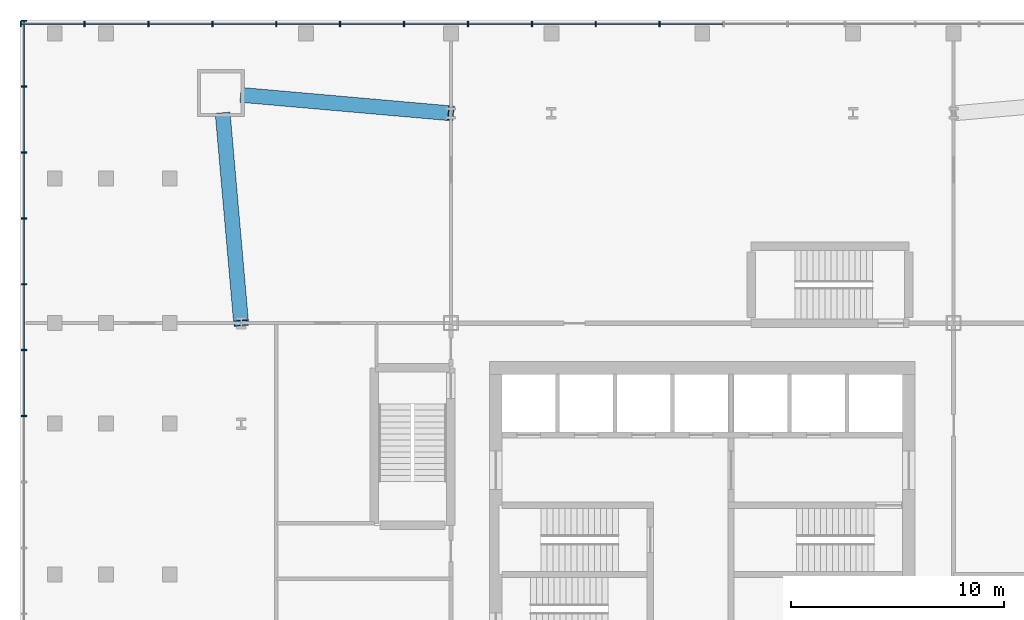
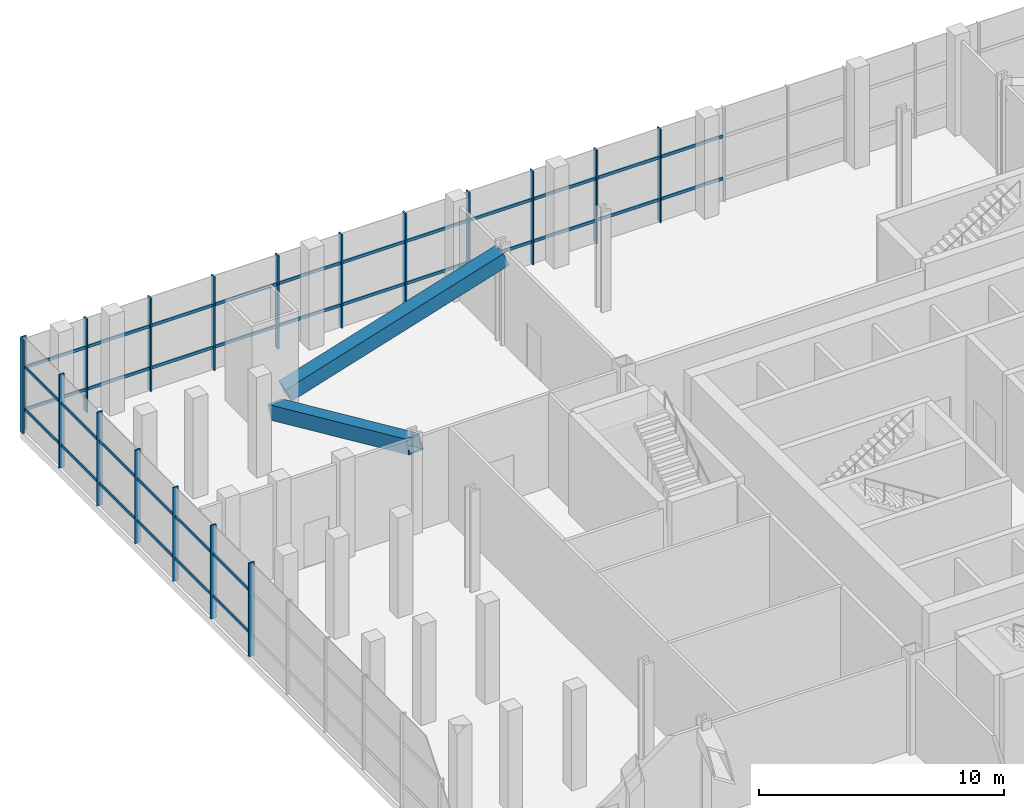
# One storey, part 4 of 12: 54 members, 2 elements without a shape of their own.
"""IFC4 building model written with IfcOpenShell, lengths in metres."""

from ifc_helpers import new_model, si_unit, direction, frame, origin, origin_2d, place, context, subcontext, project, spatial, rectangle, hollow_rectangle, extrude, material, material_profile, profile_set, type_object, element, aggregate, save


model = new_model("IFC4")

# Units and contexts
model_context = context("Model", 3, precision=1e-05, world=origin(), true_north=direction((0.0, 1.0)))
body_context = subcontext(model_context, "Body", "Model", "MODEL_VIEW")
ifc_project = project(units=[si_unit("LENGTHUNIT", "METRE"), si_unit("AREAUNIT", "SQUARE_METRE"), si_unit("VOLUMEUNIT", "CUBIC_METRE"), si_unit("PLANEANGLEUNIT", "RADIAN"), si_unit("MASSUNIT", "GRAM", prefix="KILO")], contexts=[model_context])

# Site, building, storey
site_placement = place(None, origin())
site = spatial("IfcSite", under=ifc_project, at=site_placement, CompositionType="ELEMENT")
building_placement = place(site_placement, origin())
building = spatial("IfcBuilding", under=site, at=building_placement, Name="Turquesa Mirador Hotel Tower", CompositionType="ELEMENT")
storey_placement = place(building_placement, frame((0.0, 0.0, 11.0)))
storey = spatial("IfcBuildingStorey", under=building, at=storey_placement, Name="L02", CompositionType="ELEMENT", Elevation=11.0)

# Curtain wall, members
ifc_material_1 = material(Name="Aluminium extrusion", Category="aluminium")
curtain_wall_type = type_object("IfcCurtainWallType", Name="CW-2 PODIUM CURTAIN WALL", PredefinedType="USERDEFINED", material=ifc_material_1)
curtain_wall_1_placement = place(storey_placement, origin())
curtain_wall_1 = element("IfcCurtainWall", 1, at=curtain_wall_1_placement, inside=storey, type_object=curtain_wall_type, Name="CW-2 PODIUM CURTAIN WALL L02", ObjectType="CURTAIN WALL", PredefinedType="USERDEFINED")
ifc_material_2 = material(Name="Aluminium extrusion", Category="aluminium")
ifc_material_profile_1 = material_profile(ifc_material_2, rectangle(XDim=0.06494140625, YDim=0.25, at=origin_2d()), Name="MULLION 65X250")
ifc_profile_set_1 = profile_set([ifc_material_profile_1], Name="Aluminium extrusion")
member_type_1 = type_object("IfcMemberType", Name="CW MULLION 65X250", PredefinedType="MULLION", material=ifc_profile_set_1)
member_1_placement = place(storey_placement, frame((53.0, 70.85009765625, 0.0), z_axis=(0.0, 0.0, 1.0), x_axis=(-1.0, 0.0, 0.0)))
member_1 = element("IfcMember", 2, at=member_1_placement, type_object=member_type_1, Name="Mullion", PredefinedType="MULLION", context=body_context, shape_type="SweptSolid", body=[
    extrude(rectangle(XDim=0.06494140625, YDim=0.25, at=origin_2d()), origin(), (0.0, 0.0, 1.0), 4.64990234375),
])
member_2_placement = place(storey_placement, frame((50.0, 70.85009765625, 0.0), z_axis=(0.0, 0.0, 1.0), x_axis=(-1.0, 0.0, 0.0)))
member_2 = element("IfcMember", 3, at=member_2_placement, type_object=member_type_1, Name="Mullion", PredefinedType="MULLION", context=body_context, shape_type="SweptSolid", body=[
    extrude(rectangle(XDim=0.06494140625, YDim=0.25, at=origin_2d()), origin(), (0.0, 0.0, 1.0), 4.64990234375),
])
member_3_placement = place(storey_placement, frame((47.0, 70.85009765625, 0.0), z_axis=(0.0, 0.0, 1.0), x_axis=(-1.0, 0.0, 0.0)))
member_3 = element("IfcMember", 4, at=member_3_placement, type_object=member_type_1, Name="Mullion", PredefinedType="MULLION", context=body_context, shape_type="SweptSolid", body=[
    extrude(rectangle(XDim=0.06494140625, YDim=0.25, at=origin_2d()), origin(), (0.0, 0.0, 1.0), 4.64990234375),
])
member_4_placement = place(storey_placement, frame((44.0, 70.85009765625, 0.0), z_axis=(0.0, 0.0, 1.0), x_axis=(-1.0, 0.0, 0.0)))
member_4 = element("IfcMember", 5, at=member_4_placement, type_object=member_type_1, Name="Mullion", PredefinedType="MULLION", context=body_context, shape_type="SweptSolid", body=[
    extrude(rectangle(XDim=0.06494140625, YDim=0.25, at=origin_2d()), origin(), (0.0, 0.0, 1.0), 4.64990234375),
])
member_5_placement = place(storey_placement, frame((41.0, 70.85009765625, 0.0), z_axis=(0.0, 0.0, 1.0), x_axis=(-1.0, 0.0, 0.0)))
member_5 = element("IfcMember", 6, at=member_5_placement, type_object=member_type_1, Name="Mullion", PredefinedType="MULLION", context=body_context, shape_type="SweptSolid", body=[
    extrude(rectangle(XDim=0.06494140625, YDim=0.25, at=origin_2d()), origin(), (0.0, 0.0, 1.0), 4.64990234375),
])
member_6_placement = place(storey_placement, frame((38.0, 70.85009765625, 0.0), z_axis=(0.0, 0.0, 1.0), x_axis=(-1.0, 0.0, 0.0)))
member_6 = element("IfcMember", 7, at=member_6_placement, type_object=member_type_1, Name="Mullion", PredefinedType="MULLION", context=body_context, shape_type="SweptSolid", body=[
    extrude(rectangle(XDim=0.06494140625, YDim=0.25, at=origin_2d()), origin(), (0.0, 0.0, 1.0), 4.64990234375),
])
member_7_placement = place(storey_placement, frame((35.0, 70.85009765625, 0.0), z_axis=(0.0, 0.0, 1.0), x_axis=(-1.0, 0.0, 0.0)))
member_7 = element("IfcMember", 8, at=member_7_placement, type_object=member_type_1, Name="Mullion", PredefinedType="MULLION", context=body_context, shape_type="SweptSolid", body=[
    extrude(rectangle(XDim=0.06494140625, YDim=0.25, at=origin_2d()), origin(), (0.0, 0.0, 1.0), 4.64990234375),
])
member_8_placement = place(storey_placement, frame((32.0, 70.85009765625, 0.0), z_axis=(0.0, 0.0, 1.0), x_axis=(-1.0, 0.0, 0.0)))
member_8 = element("IfcMember", 9, at=member_8_placement, type_object=member_type_1, Name="Mullion", PredefinedType="MULLION", context=body_context, shape_type="SweptSolid", body=[
    extrude(rectangle(XDim=0.06494140625, YDim=0.25, at=origin_2d()), origin(), (0.0, 0.0, 1.0), 4.64990234375),
])
member_9_placement = place(storey_placement, frame((29.0, 70.85009765625, 0.0), z_axis=(0.0, 0.0, 1.0), x_axis=(-1.0, 0.0, 0.0)))
member_9 = element("IfcMember", 10, at=member_9_placement, type_object=member_type_1, Name="Mullion", PredefinedType="MULLION", context=body_context, shape_type="SweptSolid", body=[
    extrude(rectangle(XDim=0.06494140625, YDim=0.25, at=origin_2d()), origin(), (0.0, 0.0, 1.0), 4.64990234375),
])
member_10_placement = place(storey_placement, frame((26.0, 70.85009765625, 0.0), z_axis=(0.0, 0.0, 1.0), x_axis=(-1.0, 0.0, 0.0)))
member_10 = element("IfcMember", 11, at=member_10_placement, type_object=member_type_1, Name="Mullion", PredefinedType="MULLION", context=body_context, shape_type="SweptSolid", body=[
    extrude(rectangle(XDim=0.06494140625, YDim=0.25, at=origin_2d()), origin(), (0.0, 0.0, 1.0), 4.64990234375),
])
member_11_placement = place(storey_placement, frame((23.0, 70.85009765625, 0.0), z_axis=(0.0, 0.0, 1.0), x_axis=(-1.0, 0.0, 0.0)))
member_11 = element("IfcMember", 12, at=member_11_placement, type_object=member_type_1, Name="Mullion", PredefinedType="MULLION", context=body_context, shape_type="SweptSolid", body=[
    extrude(rectangle(XDim=0.06494140625, YDim=0.25, at=origin_2d()), origin(), (0.0, 0.0, 1.0), 4.64990234375),
])

curtain_wall_2_placement = place(storey_placement, origin())
curtain_wall_2 = element("IfcCurtainWall", 13, at=curtain_wall_2_placement, inside=storey, type_object=curtain_wall_type, Name="CW-2 PODIUM CURTAIN WALL L02", ObjectType="CURTAIN WALL", PredefinedType="USERDEFINED")
member_12_placement = place(storey_placement, frame((23.14990234375, 71.0, 0.0), z_axis=(0.0, 0.0, 1.0), x_axis=(0.0, -1.0, 0.0)))
member_12 = element("IfcMember", 14, at=member_12_placement, type_object=member_type_1, Name="Mullion", PredefinedType="MULLION", context=body_context, shape_type="SweptSolid", body=[
    extrude(rectangle(XDim=0.06494140625, YDim=0.25, at=origin_2d()), origin(), (0.0, 0.0, 1.0), 4.64990234375),
])
member_13_placement = place(storey_placement, frame((23.14990234375, 67.90625, 0.0), z_axis=(0.0, 0.0, 1.0), x_axis=(0.0, -1.0, 0.0)))
member_13 = element("IfcMember", 15, at=member_13_placement, type_object=member_type_1, Name="Mullion", PredefinedType="MULLION", context=body_context, shape_type="SweptSolid", body=[
    extrude(rectangle(XDim=0.06494140625, YDim=0.25, at=origin_2d()), origin(), (0.0, 0.0, 1.0), 4.64990234375),
])
member_14_placement = place(storey_placement, frame((23.14990234375, 64.8125, 0.0), z_axis=(0.0, 0.0, 1.0), x_axis=(0.0, -1.0, 0.0)))
member_14 = element("IfcMember", 16, at=member_14_placement, type_object=member_type_1, Name="Mullion", PredefinedType="MULLION", context=body_context, shape_type="SweptSolid", body=[
    extrude(rectangle(XDim=0.06494140625, YDim=0.25, at=origin_2d()), origin(), (0.0, 0.0, 1.0), 4.64990234375),
])
member_15_placement = place(storey_placement, frame((23.14990234375, 61.71875, 0.0), z_axis=(0.0, 0.0, 1.0), x_axis=(0.0, -1.0, 0.0)))
member_15 = element("IfcMember", 17, at=member_15_placement, type_object=member_type_1, Name="Mullion", PredefinedType="MULLION", context=body_context, shape_type="SweptSolid", body=[
    extrude(rectangle(XDim=0.06494140625, YDim=0.25, at=origin_2d()), origin(), (0.0, 0.0, 1.0), 4.64990234375),
])
member_16_placement = place(storey_placement, frame((23.14990234375, 58.625, 0.0), z_axis=(0.0, 0.0, 1.0), x_axis=(0.0, -1.0, 0.0)))
member_16 = element("IfcMember", 18, at=member_16_placement, type_object=member_type_1, Name="Mullion", PredefinedType="MULLION", context=body_context, shape_type="SweptSolid", body=[
    extrude(rectangle(XDim=0.06494140625, YDim=0.25, at=origin_2d()), origin(), (0.0, 0.0, 1.0), 4.64990234375),
])
member_17_placement = place(storey_placement, frame((23.14990234375, 55.53125, 0.0), z_axis=(0.0, 0.0, 1.0), x_axis=(0.0, -1.0, 0.0)))
member_17 = element("IfcMember", 19, at=member_17_placement, type_object=member_type_1, Name="Mullion", PredefinedType="MULLION", context=body_context, shape_type="SweptSolid", body=[
    extrude(rectangle(XDim=0.06494140625, YDim=0.25, at=origin_2d()), origin(), (0.0, 0.0, 1.0), 4.64990234375),
])
member_18_placement = place(storey_placement, frame((23.14990234375, 52.4375, 0.0), z_axis=(0.0, 0.0, 1.0), x_axis=(0.0, -1.0, 0.0)))
member_18 = element("IfcMember", 20, at=member_18_placement, type_object=member_type_1, Name="Mullion", PredefinedType="MULLION", context=body_context, shape_type="SweptSolid", body=[
    extrude(rectangle(XDim=0.06494140625, YDim=0.25, at=origin_2d()), origin(), (0.0, 0.0, 1.0), 4.64990234375),
])

# Member
ifc_material_3 = material(Name="Aluminium extrusion", Category="aluminium")
ifc_material_profile_2 = material_profile(ifc_material_3, rectangle(XDim=0.06494140625, YDim=0.14990234375, at=origin_2d()), Name="TRANSOM 65X150")
ifc_profile_set_2 = profile_set([ifc_material_profile_2], Name="Aluminium extrusion")
member_type_2 = type_object("IfcMemberType", Name="CW TRANSOM 65X150", PredefinedType="USERDEFINED", material=ifc_profile_set_2)
member_19_placement = place(storey_placement, frame((55.967529296875, 70.85009765625, 1.10009765625), z_axis=(-1.0, 0.0, 0.0), x_axis=(0.0, -1.0, 0.0)))
member_19 = element("IfcMember", 21, at=member_19_placement, type_object=member_type_2, Name="Transom", ObjectType="TRANSOM", PredefinedType="USERDEFINED", context=body_context, shape_type="SweptSolid", body=[
    extrude(rectangle(XDim=0.06494140625, YDim=0.14990234375, at=origin_2d()), origin(), (0.0, 0.0, 1.0), 2.93505859375),
])

member_20_placement = place(storey_placement, frame((55.967529296875, 70.85009765625, 3.199951171875), z_axis=(-1.0, 0.0, 0.0), x_axis=(0.0, -1.0, 0.0)))
member_20 = element("IfcMember", 22, at=member_20_placement, type_object=member_type_2, Name="Transom", ObjectType="TRANSOM", PredefinedType="USERDEFINED", context=body_context, shape_type="SweptSolid", body=[
    extrude(rectangle(XDim=0.06494140625, YDim=0.14990234375, at=origin_2d()), origin(), (0.0, 0.0, 1.0), 2.93505859375),
])

member_21_placement = place(storey_placement, frame((52.967529296875, 70.85009765625, 1.10009765625), z_axis=(-1.0, 0.0, 0.0), x_axis=(0.0, -1.0, 0.0)))
member_21 = element("IfcMember", 23, at=member_21_placement, type_object=member_type_2, Name="Transom", ObjectType="TRANSOM", PredefinedType="USERDEFINED", context=body_context, shape_type="SweptSolid", body=[
    extrude(rectangle(XDim=0.06494140625, YDim=0.14990234375, at=origin_2d()), origin(), (0.0, 0.0, 1.0), 2.93505859375),
])

member_22_placement = place(storey_placement, frame((52.967529296875, 70.85009765625, 3.199951171875), z_axis=(-1.0, 0.0, 0.0), x_axis=(0.0, -1.0, 0.0)))
member_22 = element("IfcMember", 24, at=member_22_placement, type_object=member_type_2, Name="Transom", ObjectType="TRANSOM", PredefinedType="USERDEFINED", context=body_context, shape_type="SweptSolid", body=[
    extrude(rectangle(XDim=0.06494140625, YDim=0.14990234375, at=origin_2d()), origin(), (0.0, 0.0, 1.0), 2.93505859375),
])

member_23_placement = place(storey_placement, frame((49.967529296875, 70.85009765625, 1.10009765625), z_axis=(-1.0, 0.0, 0.0), x_axis=(0.0, -1.0, 0.0)))
member_23 = element("IfcMember", 25, at=member_23_placement, type_object=member_type_2, Name="Transom", ObjectType="TRANSOM", PredefinedType="USERDEFINED", context=body_context, shape_type="SweptSolid", body=[
    extrude(rectangle(XDim=0.06494140625, YDim=0.14990234375, at=origin_2d()), origin(), (0.0, 0.0, 1.0), 2.93505859375),
])

member_24_placement = place(storey_placement, frame((49.967529296875, 70.85009765625, 3.199951171875), z_axis=(-1.0, 0.0, 0.0), x_axis=(0.0, -1.0, 0.0)))
member_24 = element("IfcMember", 26, at=member_24_placement, type_object=member_type_2, Name="Transom", ObjectType="TRANSOM", PredefinedType="USERDEFINED", context=body_context, shape_type="SweptSolid", body=[
    extrude(rectangle(XDim=0.06494140625, YDim=0.14990234375, at=origin_2d()), origin(), (0.0, 0.0, 1.0), 2.93505859375),
])

member_25_placement = place(storey_placement, frame((46.967529296875, 70.85009765625, 1.10009765625), z_axis=(-1.0, 0.0, 0.0), x_axis=(0.0, -1.0, 0.0)))
member_25 = element("IfcMember", 27, at=member_25_placement, type_object=member_type_2, Name="Transom", ObjectType="TRANSOM", PredefinedType="USERDEFINED", context=body_context, shape_type="SweptSolid", body=[
    extrude(rectangle(XDim=0.06494140625, YDim=0.14990234375, at=origin_2d()), origin(), (0.0, 0.0, 1.0), 2.93505859375),
])

member_26_placement = place(storey_placement, frame((46.967529296875, 70.85009765625, 3.199951171875), z_axis=(-1.0, 0.0, 0.0), x_axis=(0.0, -1.0, 0.0)))
member_26 = element("IfcMember", 28, at=member_26_placement, type_object=member_type_2, Name="Transom", ObjectType="TRANSOM", PredefinedType="USERDEFINED", context=body_context, shape_type="SweptSolid", body=[
    extrude(rectangle(XDim=0.06494140625, YDim=0.14990234375, at=origin_2d()), origin(), (0.0, 0.0, 1.0), 2.93505859375),
])

member_27_placement = place(storey_placement, frame((43.967529296875, 70.85009765625, 1.10009765625), z_axis=(-1.0, 0.0, 0.0), x_axis=(0.0, -1.0, 0.0)))
member_27 = element("IfcMember", 29, at=member_27_placement, type_object=member_type_2, Name="Transom", ObjectType="TRANSOM", PredefinedType="USERDEFINED", context=body_context, shape_type="SweptSolid", body=[
    extrude(rectangle(XDim=0.06494140625, YDim=0.14990234375, at=origin_2d()), origin(), (0.0, 0.0, 1.0), 2.93505859375),
])

member_28_placement = place(storey_placement, frame((43.967529296875, 70.85009765625, 3.199951171875), z_axis=(-1.0, 0.0, 0.0), x_axis=(0.0, -1.0, 0.0)))
member_28 = element("IfcMember", 30, at=member_28_placement, type_object=member_type_2, Name="Transom", ObjectType="TRANSOM", PredefinedType="USERDEFINED", context=body_context, shape_type="SweptSolid", body=[
    extrude(rectangle(XDim=0.06494140625, YDim=0.14990234375, at=origin_2d()), origin(), (0.0, 0.0, 1.0), 2.93505859375),
])

member_29_placement = place(storey_placement, frame((40.967529296875, 70.85009765625, 1.10009765625), z_axis=(-1.0, 0.0, 0.0), x_axis=(0.0, -1.0, 0.0)))
member_29 = element("IfcMember", 31, at=member_29_placement, type_object=member_type_2, Name="Transom", ObjectType="TRANSOM", PredefinedType="USERDEFINED", context=body_context, shape_type="SweptSolid", body=[
    extrude(rectangle(XDim=0.06494140625, YDim=0.14990234375, at=origin_2d()), origin(), (0.0, 0.0, 1.0), 2.93505859375),
])

member_30_placement = place(storey_placement, frame((40.967529296875, 70.85009765625, 3.199951171875), z_axis=(-1.0, 0.0, 0.0), x_axis=(0.0, -1.0, 0.0)))
member_30 = element("IfcMember", 32, at=member_30_placement, type_object=member_type_2, Name="Transom", ObjectType="TRANSOM", PredefinedType="USERDEFINED", context=body_context, shape_type="SweptSolid", body=[
    extrude(rectangle(XDim=0.06494140625, YDim=0.14990234375, at=origin_2d()), origin(), (0.0, 0.0, 1.0), 2.93505859375),
])

member_31_placement = place(storey_placement, frame((37.967529296875, 70.85009765625, 1.10009765625), z_axis=(-1.0, 0.0, 0.0), x_axis=(0.0, -1.0, 0.0)))
member_31 = element("IfcMember", 33, at=member_31_placement, type_object=member_type_2, Name="Transom", ObjectType="TRANSOM", PredefinedType="USERDEFINED", context=body_context, shape_type="SweptSolid", body=[
    extrude(rectangle(XDim=0.06494140625, YDim=0.14990234375, at=origin_2d()), origin(), (0.0, 0.0, 1.0), 2.93505859375),
])

member_32_placement = place(storey_placement, frame((37.967529296875, 70.85009765625, 3.199951171875), z_axis=(-1.0, 0.0, 0.0), x_axis=(0.0, -1.0, 0.0)))
member_32 = element("IfcMember", 34, at=member_32_placement, type_object=member_type_2, Name="Transom", ObjectType="TRANSOM", PredefinedType="USERDEFINED", context=body_context, shape_type="SweptSolid", body=[
    extrude(rectangle(XDim=0.06494140625, YDim=0.14990234375, at=origin_2d()), origin(), (0.0, 0.0, 1.0), 2.93505859375),
])

member_33_placement = place(storey_placement, frame((34.967529296875, 70.85009765625, 1.10009765625), z_axis=(-1.0, 0.0, 0.0), x_axis=(0.0, -1.0, 0.0)))
member_33 = element("IfcMember", 35, at=member_33_placement, type_object=member_type_2, Name="Transom", ObjectType="TRANSOM", PredefinedType="USERDEFINED", context=body_context, shape_type="SweptSolid", body=[
    extrude(rectangle(XDim=0.06494140625, YDim=0.14990234375, at=origin_2d()), origin(), (0.0, 0.0, 1.0), 2.93505859375),
])

member_34_placement = place(storey_placement, frame((34.967529296875, 70.85009765625, 3.199951171875), z_axis=(-1.0, 0.0, 0.0), x_axis=(0.0, -1.0, 0.0)))
member_34 = element("IfcMember", 36, at=member_34_placement, type_object=member_type_2, Name="Transom", ObjectType="TRANSOM", PredefinedType="USERDEFINED", context=body_context, shape_type="SweptSolid", body=[
    extrude(rectangle(XDim=0.06494140625, YDim=0.14990234375, at=origin_2d()), origin(), (0.0, 0.0, 1.0), 2.93505859375),
])

member_35_placement = place(storey_placement, frame((31.967529296875, 70.85009765625, 1.10009765625), z_axis=(-1.0, 0.0, 0.0), x_axis=(0.0, -1.0, 0.0)))
member_35 = element("IfcMember", 37, at=member_35_placement, type_object=member_type_2, Name="Transom", ObjectType="TRANSOM", PredefinedType="USERDEFINED", context=body_context, shape_type="SweptSolid", body=[
    extrude(rectangle(XDim=0.06494140625, YDim=0.14990234375, at=origin_2d()), origin(), (0.0, 0.0, 1.0), 2.93505859375),
])

member_36_placement = place(storey_placement, frame((31.967529296875, 70.85009765625, 3.199951171875), z_axis=(-1.0, 0.0, 0.0), x_axis=(0.0, -1.0, 0.0)))
member_36 = element("IfcMember", 38, at=member_36_placement, type_object=member_type_2, Name="Transom", ObjectType="TRANSOM", PredefinedType="USERDEFINED", context=body_context, shape_type="SweptSolid", body=[
    extrude(rectangle(XDim=0.06494140625, YDim=0.14990234375, at=origin_2d()), origin(), (0.0, 0.0, 1.0), 2.93505859375),
])

member_37_placement = place(storey_placement, frame((28.967529296875, 70.85009765625, 1.10009765625), z_axis=(-1.0, 0.0, 0.0), x_axis=(0.0, -1.0, 0.0)))
member_37 = element("IfcMember", 39, at=member_37_placement, type_object=member_type_2, Name="Transom", ObjectType="TRANSOM", PredefinedType="USERDEFINED", context=body_context, shape_type="SweptSolid", body=[
    extrude(rectangle(XDim=0.06494140625, YDim=0.14990234375, at=origin_2d()), origin(), (0.0, 0.0, 1.0), 2.93505859375),
])

member_38_placement = place(storey_placement, frame((28.967529296875, 70.85009765625, 3.199951171875), z_axis=(-1.0, 0.0, 0.0), x_axis=(0.0, -1.0, 0.0)))
member_38 = element("IfcMember", 40, at=member_38_placement, type_object=member_type_2, Name="Transom", ObjectType="TRANSOM", PredefinedType="USERDEFINED", context=body_context, shape_type="SweptSolid", body=[
    extrude(rectangle(XDim=0.06494140625, YDim=0.14990234375, at=origin_2d()), origin(), (0.0, 0.0, 1.0), 2.93505859375),
])

member_39_placement = place(storey_placement, frame((25.967529296875, 70.85009765625, 1.10009765625), z_axis=(-1.0, 0.0, 0.0), x_axis=(0.0, -1.0, 0.0)))
member_39 = element("IfcMember", 41, at=member_39_placement, type_object=member_type_2, Name="Transom", ObjectType="TRANSOM", PredefinedType="USERDEFINED", context=body_context, shape_type="SweptSolid", body=[
    extrude(rectangle(XDim=0.06494140625, YDim=0.14990234375, at=origin_2d()), origin(), (0.0, 0.0, 1.0), 2.93505859375),
])

member_40_placement = place(storey_placement, frame((25.967529296875, 70.85009765625, 3.199951171875), z_axis=(-1.0, 0.0, 0.0), x_axis=(0.0, -1.0, 0.0)))
member_40 = element("IfcMember", 42, at=member_40_placement, type_object=member_type_2, Name="Transom", ObjectType="TRANSOM", PredefinedType="USERDEFINED", context=body_context, shape_type="SweptSolid", body=[
    extrude(rectangle(XDim=0.06494140625, YDim=0.14990234375, at=origin_2d()), origin(), (0.0, 0.0, 1.0), 2.93505859375),
])

aggregate(curtain_wall_1, [member_1, member_2, member_3, member_4, member_5, member_6, member_7, member_8, member_9, member_10, member_11, member_19, member_20, member_21, member_22, member_23, member_24, member_25, member_26, member_27, member_28, member_29, member_30, member_31, member_32, member_33, member_34, member_35, member_36, member_37, member_38, member_39, member_40])

member_41_placement = place(storey_placement, frame((23.14990234375, 70.967529296875, 1.10009765625), z_axis=(0.0, -1.0, 0.0), x_axis=(1.0, 0.0, 0.0)))
member_41 = element("IfcMember", 43, at=member_41_placement, type_object=member_type_2, Name="Transom", ObjectType="TRANSOM", PredefinedType="USERDEFINED", context=body_context, shape_type="SweptSolid", body=[
    extrude(rectangle(XDim=0.06494140625, YDim=0.14990234375, at=origin_2d()), origin(), (0.0, 0.0, 1.0), 3.02880859375),
])

member_42_placement = place(storey_placement, frame((23.14990234375, 70.967529296875, 3.199951171875), z_axis=(0.0, -1.0, 0.0), x_axis=(1.0, 0.0, 0.0)))
member_42 = element("IfcMember", 44, at=member_42_placement, type_object=member_type_2, Name="Transom", ObjectType="TRANSOM", PredefinedType="USERDEFINED", context=body_context, shape_type="SweptSolid", body=[
    extrude(rectangle(XDim=0.06494140625, YDim=0.14990234375, at=origin_2d()), origin(), (0.0, 0.0, 1.0), 3.02880859375),
])

member_43_placement = place(storey_placement, frame((23.14990234375, 67.873779296875, 1.10009765625), z_axis=(0.0, -1.0, 0.0), x_axis=(1.0, 0.0, 0.0)))
member_43 = element("IfcMember", 45, at=member_43_placement, type_object=member_type_2, Name="Transom", ObjectType="TRANSOM", PredefinedType="USERDEFINED", context=body_context, shape_type="SweptSolid", body=[
    extrude(rectangle(XDim=0.06494140625, YDim=0.14990234375, at=origin_2d()), origin(), (0.0, 0.0, 1.0), 3.02880859375),
])

member_44_placement = place(storey_placement, frame((23.14990234375, 67.873779296875, 3.199951171875), z_axis=(0.0, -1.0, 0.0), x_axis=(1.0, 0.0, 0.0)))
member_44 = element("IfcMember", 46, at=member_44_placement, type_object=member_type_2, Name="Transom", ObjectType="TRANSOM", PredefinedType="USERDEFINED", context=body_context, shape_type="SweptSolid", body=[
    extrude(rectangle(XDim=0.06494140625, YDim=0.14990234375, at=origin_2d()), origin(), (0.0, 0.0, 1.0), 3.02880859375),
])

member_45_placement = place(storey_placement, frame((23.14990234375, 64.780029296875, 1.10009765625), z_axis=(0.0, -1.0, 0.0), x_axis=(1.0, 0.0, 0.0)))
member_45 = element("IfcMember", 47, at=member_45_placement, type_object=member_type_2, Name="Transom", ObjectType="TRANSOM", PredefinedType="USERDEFINED", context=body_context, shape_type="SweptSolid", body=[
    extrude(rectangle(XDim=0.06494140625, YDim=0.14990234375, at=origin_2d()), origin(), (0.0, 0.0, 1.0), 3.02880859375),
])

member_46_placement = place(storey_placement, frame((23.14990234375, 64.780029296875, 3.199951171875), z_axis=(0.0, -1.0, 0.0), x_axis=(1.0, 0.0, 0.0)))
member_46 = element("IfcMember", 48, at=member_46_placement, type_object=member_type_2, Name="Transom", ObjectType="TRANSOM", PredefinedType="USERDEFINED", context=body_context, shape_type="SweptSolid", body=[
    extrude(rectangle(XDim=0.06494140625, YDim=0.14990234375, at=origin_2d()), origin(), (0.0, 0.0, 1.0), 3.02880859375),
])

member_47_placement = place(storey_placement, frame((23.14990234375, 61.686279296875, 1.10009765625), z_axis=(0.0, -1.0, 0.0), x_axis=(1.0, 0.0, 0.0)))
member_47 = element("IfcMember", 49, at=member_47_placement, type_object=member_type_2, Name="Transom", ObjectType="TRANSOM", PredefinedType="USERDEFINED", context=body_context, shape_type="SweptSolid", body=[
    extrude(rectangle(XDim=0.06494140625, YDim=0.14990234375, at=origin_2d()), origin(), (0.0, 0.0, 1.0), 3.02880859375),
])

member_48_placement = place(storey_placement, frame((23.14990234375, 61.686279296875, 3.199951171875), z_axis=(0.0, -1.0, 0.0), x_axis=(1.0, 0.0, 0.0)))
member_48 = element("IfcMember", 50, at=member_48_placement, type_object=member_type_2, Name="Transom", ObjectType="TRANSOM", PredefinedType="USERDEFINED", context=body_context, shape_type="SweptSolid", body=[
    extrude(rectangle(XDim=0.06494140625, YDim=0.14990234375, at=origin_2d()), origin(), (0.0, 0.0, 1.0), 3.02880859375),
])

member_49_placement = place(storey_placement, frame((23.14990234375, 58.592529296875, 1.10009765625), z_axis=(0.0, -1.0, 0.0), x_axis=(1.0, 0.0, 0.0)))
member_49 = element("IfcMember", 51, at=member_49_placement, type_object=member_type_2, Name="Transom", ObjectType="TRANSOM", PredefinedType="USERDEFINED", context=body_context, shape_type="SweptSolid", body=[
    extrude(rectangle(XDim=0.06494140625, YDim=0.14990234375, at=origin_2d()), origin(), (0.0, 0.0, 1.0), 3.02880859375),
])

member_50_placement = place(storey_placement, frame((23.14990234375, 58.592529296875, 3.199951171875), z_axis=(0.0, -1.0, 0.0), x_axis=(1.0, 0.0, 0.0)))
member_50 = element("IfcMember", 52, at=member_50_placement, type_object=member_type_2, Name="Transom", ObjectType="TRANSOM", PredefinedType="USERDEFINED", context=body_context, shape_type="SweptSolid", body=[
    extrude(rectangle(XDim=0.06494140625, YDim=0.14990234375, at=origin_2d()), origin(), (0.0, 0.0, 1.0), 3.02880859375),
])

member_51_placement = place(storey_placement, frame((23.14990234375, 55.498779296875, 1.10009765625), z_axis=(0.0, -1.0, 0.0), x_axis=(1.0, 0.0, 0.0)))
member_51 = element("IfcMember", 53, at=member_51_placement, type_object=member_type_2, Name="Transom", ObjectType="TRANSOM", PredefinedType="USERDEFINED", context=body_context, shape_type="SweptSolid", body=[
    extrude(rectangle(XDim=0.06494140625, YDim=0.14990234375, at=origin_2d()), origin(), (0.0, 0.0, 1.0), 3.02880859375),
])

member_52_placement = place(storey_placement, frame((23.14990234375, 55.498779296875, 3.199951171875), z_axis=(0.0, -1.0, 0.0), x_axis=(1.0, 0.0, 0.0)))
member_52 = element("IfcMember", 54, at=member_52_placement, type_object=member_type_2, Name="Transom", ObjectType="TRANSOM", PredefinedType="USERDEFINED", context=body_context, shape_type="SweptSolid", body=[
    extrude(rectangle(XDim=0.06494140625, YDim=0.14990234375, at=origin_2d()), origin(), (0.0, 0.0, 1.0), 3.02880859375),
])

aggregate(curtain_wall_2, [member_12, member_13, member_14, member_15, member_16, member_17, member_18, member_41, member_42, member_43, member_44, member_45, member_46, member_47, member_48, member_49, member_50, member_51, member_52])

# Members
ifc_material_4 = material(Name="Steel ASTM A572 Grade 50", Category="steel")
ifc_material_profile_3 = material_profile(ifc_material_4, hollow_rectangle(XDim=0.699951171875, YDim=0.699951171875, WallThickness=0.06005859375, at=origin_2d()), Name="BOX700X700X60")
ifc_profile_set_3 = profile_set([ifc_material_profile_3], Name="Steel ASTM A572 Grade 50")
member_type_3 = type_object("IfcMemberType", Name="PODIUM BRACE BOX700X700X60", PredefinedType="BRACE", material=ifc_profile_set_3)
for number, where, z_axis, x_axis, name in (
    (55, (33.449951171875, 67.507568359375, 0.41796875), (0.925977133231, -0.081454268556, 0.368688962227), (0.087627369437, 0.996153323603, 0.0), "Podium brace N"),
    (56, (32.492431640625, 66.550048828125, 0.41796875), (0.081454268556, -0.925977133231, 0.368688962227), (0.996153323603, 0.087627369437, 0.0), "Podium brace W"),
):
    element("IfcMember", number, at=place(storey_placement, frame(where, z_axis=z_axis, x_axis=x_axis)), inside=storey, type_object=member_type_3, Name=name, PredefinedType="BRACE", context=body_context, shape_type="SweptSolid", body=[
        extrude(hollow_rectangle(XDim=0.699951171875, YDim=0.699951171875, WallThickness=0.06005859375, at=origin_2d()), origin(), (0.0, 0.0, 1.0), 10.529296875),
    ])

save(model, "model.ifc")
